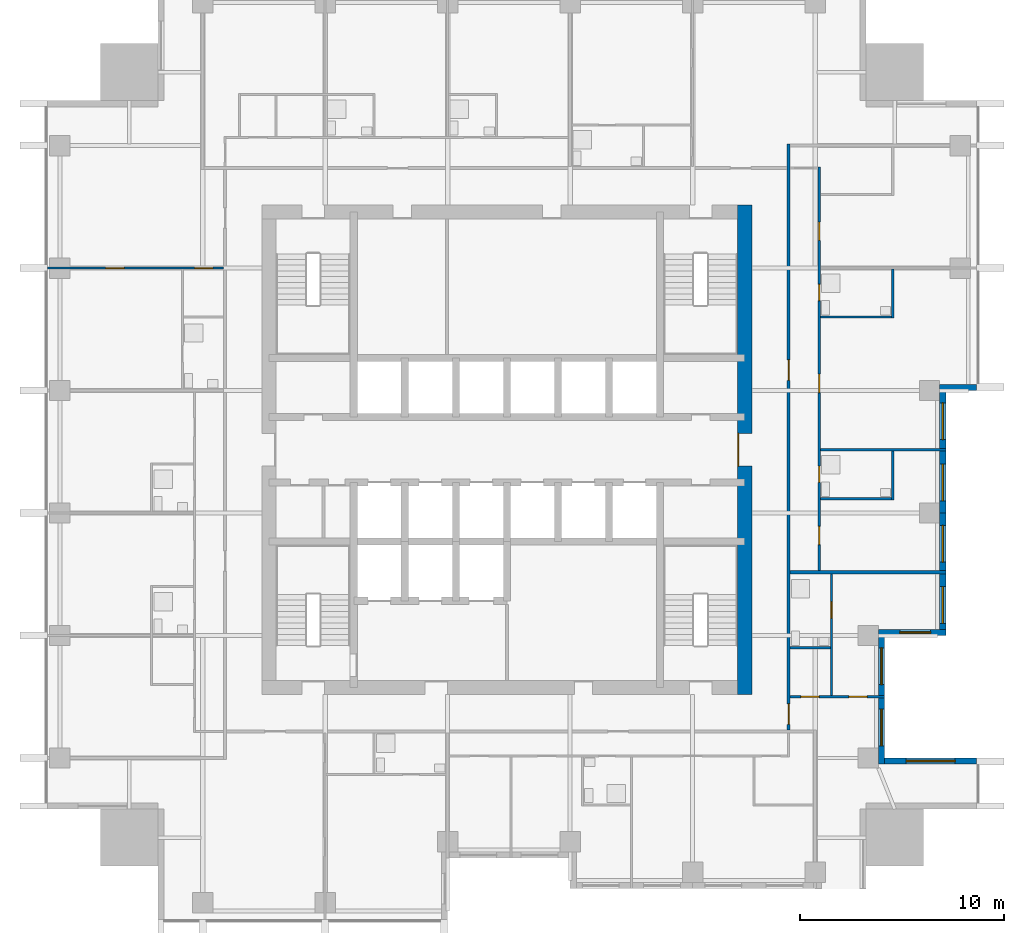
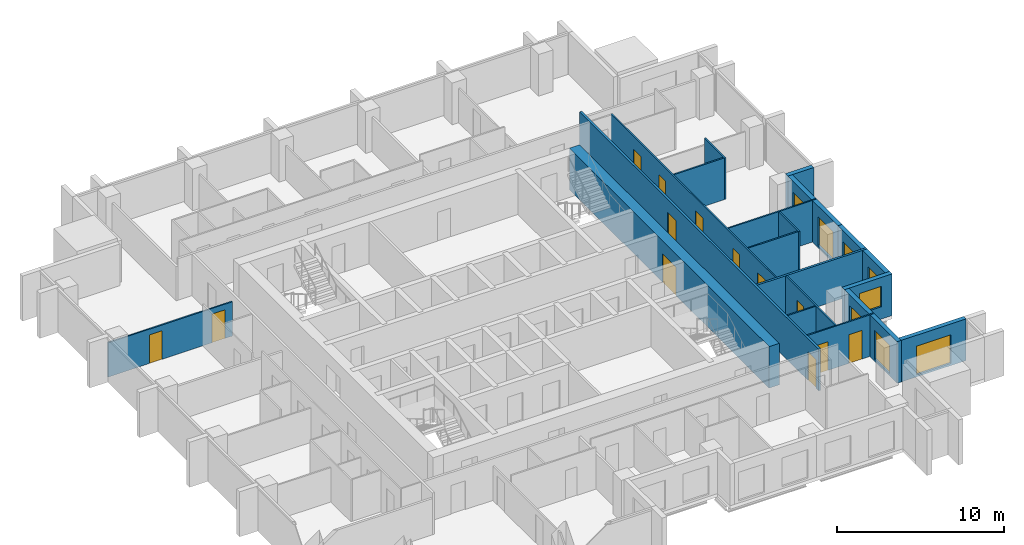
# One storey, part 6 of 10: 19 walls, 13 doors, 8 windows, 21 openings.
"""IFC4 building model written with IfcOpenShell, lengths in metres."""

from ifc_helpers import new_model, si_unit, direction, frame, frame_2d, origin, place, context, subcontext, project, spatial, rectangle, extrude, material, layer, layer_set, type_object, element, fill, save


model = new_model("IFC4")

# Units and contexts
model_context = context("Model", 3, precision=1e-05, world=origin(), true_north=direction((0.0, 1.0)))
body_context = subcontext(model_context, "Body", "Model", "MODEL_VIEW")
ifc_project = project(units=[si_unit("LENGTHUNIT", "METRE"), si_unit("AREAUNIT", "SQUARE_METRE"), si_unit("VOLUMEUNIT", "CUBIC_METRE"), si_unit("PLANEANGLEUNIT", "RADIAN"), si_unit("MASSUNIT", "GRAM", prefix="KILO")], contexts=[model_context])

# Site, building, storey
site_placement = place(None, origin())
site = spatial("IfcSite", under=ifc_project, at=site_placement, CompositionType="ELEMENT")
building_placement = place(site_placement, origin())
building = spatial("IfcBuilding", under=site, at=building_placement, Name="Amberfall Residences", CompositionType="ELEMENT")
storey_placement = place(building_placement, frame((0.0, 0.0, 137.199951171875)))
storey = spatial("IfcBuildingStorey", under=building, at=storey_placement, Name="L36", CompositionType="ELEMENT", Elevation=137.199951171875)

# Wall, opening, window
ifc_material_1 = material(Name="Pale stone cladding on insulated backing", Category="masonry")
ifc_layer_1 = layer(ifc_material_1, 0.300048828125)
ifc_layer_set_1 = layer_set([ifc_layer_1], Name="Bronze clad wall 300")
wall_type_1 = type_object("IfcWallType", Name="Bronze clad wall 300", PredefinedType="SOLIDWALL", material=ifc_layer_set_1)
wall_1_placement = place(storey_placement, frame((97.5, 30.25, 0.0), z_axis=(0.0, 0.0, 1.0), x_axis=(-1.0, 0.0, 0.0)))
wall_1 = element("IfcWall", 1, at=wall_1_placement, inside=storey, type_object=wall_type_1, Name="External wall L36 E", PredefinedType="SOLIDWALL", context=body_context, shape_type="SweptSolid", body=[
    extrude(rectangle(XDim=4.5, YDim=0.300048828125, at=frame_2d((2.25, 0.0))), origin(), (0.0, 0.0, 1.0), 3.050048828125),
])
opening_1_placement = place(wall_1_placement, frame((1.050048828125, 0.0, 0.14990234375)))
opening_1 = element("IfcOpeningElement", 2, at=opening_1_placement, cuts=wall_1, Name="Opening WN5", PredefinedType="OPENING", context=body_context, shape_type="SweptSolid", body=[
    extrude(rectangle(XDim=2.39990234375, YDim=2.10009765625, at=frame_2d((1.199951171875, 1.050048828125))), frame((0.0, 0.159912109375, 0.0), z_axis=(0.0, -1.0, 0.0), x_axis=(1.0, 0.0, 0.0)), (0.0, 0.0, 1.0), 0.320068359375),
])
ifc_material_2 = material(Name="Bronze aluminium framed glazing", Category="aluminium")
window_type_1 = type_object("IfcWindowType", Name="Glazed opening 2400 x 2100 bronze", PartitioningType="DOUBLE_PANEL_VERTICAL", PredefinedType="WINDOW", material=ifc_material_2)
window_1_placement = place(opening_1_placement, origin())
window_1 = element("IfcWindow", 3, at=window_1_placement, inside=storey, type_object=window_type_1, Name="Window L36 E", OverallHeight=2.10009765625, OverallWidth=2.39990234375, PartitioningType="DOUBLE_PANEL_VERTICAL", PredefinedType="WINDOW", context=body_context, shape_type="SweptSolid", body=[
    extrude(rectangle(XDim=2.39990234375, YDim=2.10009765625, at=frame_2d((1.199951171875, 1.050048828125))), frame((0.0, 0.030029296875, 0.0), z_axis=(0.0, -1.0, 0.0), x_axis=(1.0, 0.0, 0.0)), (0.0, 0.0, 1.0), 0.06005859375),
])
fill(opening_1, window_1)

wall_2_placement = place(storey_placement, frame((92.699951171875, 36.550048828125, 0.0), z_axis=(0.0, 0.0, 1.0), x_axis=(1.0, 0.0, 0.0)))
wall_2 = element("IfcWall", 4, at=wall_2_placement, inside=storey, type_object=wall_type_1, Name="External wall L36 E", PredefinedType="SOLIDWALL", context=body_context, shape_type="SweptSolid", body=[
    extrude(rectangle(XDim=3.300048828125, YDim=0.300048828125, at=frame_2d((1.64990234375, 0.0))), origin(), (0.0, 0.0, 1.0), 3.050048828125),
])
opening_2_placement = place(wall_2_placement, frame((1.050048828125, 0.0, 0.89990234375)))
opening_2 = element("IfcOpeningElement", 5, at=opening_2_placement, cuts=wall_2, Name="Opening WN1", PredefinedType="OPENING", context=body_context, shape_type="SweptSolid", body=[
    extrude(rectangle(XDim=1.5, YDim=1.5, at=frame_2d((0.75, 0.75))), frame((0.0, 0.159912109375, 0.0), z_axis=(0.0, -1.0, 0.0), x_axis=(1.0, 0.0, 0.0)), (0.0, 0.0, 1.0), 0.320068359375),
])
window_type_2 = type_object("IfcWindowType", Name="Window 1500 x 1500 bronze", PartitioningType="DOUBLE_PANEL_VERTICAL", PredefinedType="WINDOW", material=ifc_material_2)
window_2_placement = place(opening_2_placement, origin())
window_2 = element("IfcWindow", 6, at=window_2_placement, inside=storey, type_object=window_type_2, Name="Window L36 E", OverallHeight=1.5, OverallWidth=1.5, PartitioningType="DOUBLE_PANEL_VERTICAL", PredefinedType="WINDOW", context=body_context, shape_type="SweptSolid", body=[
    extrude(rectangle(XDim=1.5, YDim=1.5, at=frame_2d((0.75, 0.75))), frame((0.0, 0.030029296875, 0.0), z_axis=(0.0, -1.0, 0.0), x_axis=(1.0, 0.0, 0.0)), (0.0, 0.0, 1.0), 0.06005859375),
])
fill(opening_2, window_2)

# Wall
wall_3_placement = place(storey_placement, frame((95.699951171875, 48.550048828125, 0.0), z_axis=(0.0, 0.0, 1.0), x_axis=(1.0, 0.0, 0.0)))
element("IfcWall", 7, at=wall_3_placement, inside=storey, type_object=wall_type_1, Name="External wall L36 E", PredefinedType="SOLIDWALL", context=body_context, shape_type="SweptSolid", body=[
    extrude(rectangle(XDim=1.800048828125, YDim=0.300048828125, at=frame_2d((0.89990234375, 0.0))), origin(), (0.0, 0.0, 1.0), 3.050048828125),
])

# Wall, openings, windows
wall_4_placement = place(storey_placement, frame((92.85009765625, 30.10009765625, 0.0), z_axis=(0.0, 0.0, 1.0), x_axis=(0.0, 1.0, 0.0)))
wall_4 = element("IfcWall", 8, at=wall_4_placement, inside=storey, type_object=wall_type_1, Name="Stone wall L36 E", PredefinedType="SOLIDWALL", context=body_context, shape_type="SweptSolid", body=[
    extrude(rectangle(XDim=6.2998046875, YDim=0.300048828125, at=frame_2d((3.14990234375, 0.0))), origin(), (0.0, 0.0, 1.0), 3.050048828125),
])
opening_3_placement = place(wall_4_placement, frame((0.89990234375, 0.0, 0.14990234375)))
opening_3 = element("IfcOpeningElement", 9, at=opening_3_placement, cuts=wall_4, Name="Opening WN6", PredefinedType="OPENING", context=body_context, shape_type="SweptSolid", body=[
    extrude(rectangle(XDim=1.800048828125, YDim=2.10009765625, at=frame_2d((0.89990234375, 1.050048828125))), frame((0.0, 0.159912109375, 0.0), z_axis=(0.0, -1.0, 0.0), x_axis=(1.0, 0.0, 0.0)), (0.0, 0.0, 1.0), 0.320068359375),
])
opening_4_placement = place(wall_4_placement, frame((3.89990234375, 0.0, 0.14990234375)))
opening_4 = element("IfcOpeningElement", 10, at=opening_4_placement, cuts=wall_4, Name="Opening WN6", PredefinedType="OPENING", context=body_context, shape_type="SweptSolid", body=[
    extrude(rectangle(XDim=1.800048828125, YDim=2.10009765625, at=frame_2d((0.89990234375, 1.050048828125))), frame((0.0, 0.159912109375, 0.0), z_axis=(0.0, -1.0, 0.0), x_axis=(1.0, 0.0, 0.0)), (0.0, 0.0, 1.0), 0.320068359375),
])
window_type_3 = type_object("IfcWindowType", Name="Glazed opening 1800 x 2100 bronze", PartitioningType="DOUBLE_PANEL_VERTICAL", PredefinedType="WINDOW", material=ifc_material_2)
window_3_placement = place(opening_3_placement, origin())
window_3 = element("IfcWindow", 11, at=window_3_placement, inside=storey, type_object=window_type_3, Name="Window L36 E", OverallHeight=2.10009765625, OverallWidth=1.800048828125, PartitioningType="DOUBLE_PANEL_VERTICAL", PredefinedType="WINDOW", context=body_context, shape_type="SweptSolid", body=[
    extrude(rectangle(XDim=1.800048828125, YDim=2.10009765625, at=frame_2d((0.89990234375, 1.050048828125))), frame((0.0, 0.030029296875, 0.0), z_axis=(0.0, -1.0, 0.0), x_axis=(1.0, 0.0, 0.0)), (0.0, 0.0, 1.0), 0.06005859375),
])
fill(opening_3, window_3)
window_4_placement = place(opening_4_placement, origin())
window_4 = element("IfcWindow", 12, at=window_4_placement, inside=storey, type_object=window_type_3, Name="Window L36 E", OverallHeight=2.10009765625, OverallWidth=1.800048828125, PartitioningType="DOUBLE_PANEL_VERTICAL", PredefinedType="WINDOW", context=body_context, shape_type="SweptSolid", body=[
    extrude(rectangle(XDim=1.800048828125, YDim=2.10009765625, at=frame_2d((0.89990234375, 1.050048828125))), frame((0.0, 0.030029296875, 0.0), z_axis=(0.0, -1.0, 0.0), x_axis=(1.0, 0.0, 0.0)), (0.0, 0.0, 1.0), 0.06005859375),
])
fill(opening_4, window_4)

wall_5_placement = place(storey_placement, frame((95.85009765625, 36.699951171875, 0.0), z_axis=(0.0, 0.0, 1.0), x_axis=(0.0, 1.0, 0.0)))
wall_5 = element("IfcWall", 13, at=wall_5_placement, inside=storey, type_object=wall_type_1, Name="Stone wall L36 E", PredefinedType="SOLIDWALL", context=body_context, shape_type="SweptSolid", body=[
    extrude(rectangle(XDim=5.699951171875, YDim=0.300048828125, at=frame_2d((2.85009765625, 0.0))), origin(), (0.0, 0.0, 1.0), 3.050048828125),
])
opening_5_placement = place(wall_5_placement, frame((0.300048828125, 0.0, 0.14990234375)))
opening_5 = element("IfcOpeningElement", 14, at=opening_5_placement, cuts=wall_5, Name="Opening WN6", PredefinedType="OPENING", context=body_context, shape_type="SweptSolid", body=[
    extrude(rectangle(XDim=1.800048828125, YDim=2.10009765625, at=frame_2d((0.89990234375, 1.050048828125))), frame((0.0, 0.159912109375, 0.0), z_axis=(0.0, -1.0, 0.0), x_axis=(1.0, 0.0, 0.0)), (0.0, 0.0, 1.0), 0.320068359375),
])
opening_6_placement = place(wall_5_placement, frame((3.300048828125, 0.0, 0.14990234375)))
opening_6 = element("IfcOpeningElement", 15, at=opening_6_placement, cuts=wall_5, Name="Opening WN6", PredefinedType="OPENING", context=body_context, shape_type="SweptSolid", body=[
    extrude(rectangle(XDim=1.800048828125, YDim=2.10009765625, at=frame_2d((0.89990234375, 1.050048828125))), frame((0.0, 0.159912109375, 0.0), z_axis=(0.0, -1.0, 0.0), x_axis=(1.0, 0.0, 0.0)), (0.0, 0.0, 1.0), 0.320068359375),
])
window_5_placement = place(opening_5_placement, origin())
window_5 = element("IfcWindow", 16, at=window_5_placement, inside=storey, type_object=window_type_3, Name="Window L36 E", OverallHeight=2.10009765625, OverallWidth=1.800048828125, PartitioningType="DOUBLE_PANEL_VERTICAL", PredefinedType="WINDOW", context=body_context, shape_type="SweptSolid", body=[
    extrude(rectangle(XDim=1.800048828125, YDim=2.10009765625, at=frame_2d((0.89990234375, 1.050048828125))), frame((0.0, 0.030029296875, 0.0), z_axis=(0.0, -1.0, 0.0), x_axis=(1.0, 0.0, 0.0)), (0.0, 0.0, 1.0), 0.06005859375),
])
fill(opening_5, window_5)
window_6_placement = place(opening_6_placement, origin())
window_6 = element("IfcWindow", 17, at=window_6_placement, inside=storey, type_object=window_type_3, Name="Window L36 E", OverallHeight=2.10009765625, OverallWidth=1.800048828125, PartitioningType="DOUBLE_PANEL_VERTICAL", PredefinedType="WINDOW", context=body_context, shape_type="SweptSolid", body=[
    extrude(rectangle(XDim=1.800048828125, YDim=2.10009765625, at=frame_2d((0.89990234375, 1.050048828125))), frame((0.0, 0.030029296875, 0.0), z_axis=(0.0, -1.0, 0.0), x_axis=(1.0, 0.0, 0.0)), (0.0, 0.0, 1.0), 0.06005859375),
])
fill(opening_6, window_6)

wall_6_placement = place(storey_placement, frame((95.85009765625, 42.39990234375, 0.0), z_axis=(0.0, 0.0, 1.0), x_axis=(0.0, 1.0, 0.0)))
wall_6 = element("IfcWall", 18, at=wall_6_placement, inside=storey, type_object=wall_type_1, Name="Stone wall L36 E", PredefinedType="SOLIDWALL", context=body_context, shape_type="SweptSolid", body=[
    extrude(rectangle(XDim=6.0, YDim=0.300048828125, at=frame_2d((3.0, 0.0))), origin(), (0.0, 0.0, 1.0), 3.050048828125),
])
opening_7_placement = place(wall_6_placement, frame((0.60009765625, 0.0, 0.14990234375)))
opening_7 = element("IfcOpeningElement", 19, at=opening_7_placement, cuts=wall_6, Name="Opening WN6", PredefinedType="OPENING", context=body_context, shape_type="SweptSolid", body=[
    extrude(rectangle(XDim=1.800048828125, YDim=2.10009765625, at=frame_2d((0.89990234375, 1.050048828125))), frame((0.0, 0.159912109375, 0.0), z_axis=(0.0, -1.0, 0.0), x_axis=(1.0, 0.0, 0.0)), (0.0, 0.0, 1.0), 0.320068359375),
])
opening_8_placement = place(wall_6_placement, frame((3.60009765625, 0.0, 0.14990234375)))
opening_8 = element("IfcOpeningElement", 20, at=opening_8_placement, cuts=wall_6, Name="Opening WN6", PredefinedType="OPENING", context=body_context, shape_type="SweptSolid", body=[
    extrude(rectangle(XDim=1.800048828125, YDim=2.10009765625, at=frame_2d((0.89990234375, 1.050048828125))), frame((0.0, 0.159912109375, 0.0), z_axis=(0.0, -1.0, 0.0), x_axis=(1.0, 0.0, 0.0)), (0.0, 0.0, 1.0), 0.320068359375),
])
window_7_placement = place(opening_7_placement, origin())
window_7 = element("IfcWindow", 21, at=window_7_placement, inside=storey, type_object=window_type_3, Name="Window L36 E", OverallHeight=2.10009765625, OverallWidth=1.800048828125, PartitioningType="DOUBLE_PANEL_VERTICAL", PredefinedType="WINDOW", context=body_context, shape_type="SweptSolid", body=[
    extrude(rectangle(XDim=1.800048828125, YDim=2.10009765625, at=frame_2d((0.89990234375, 1.050048828125))), frame((0.0, 0.030029296875, 0.0), z_axis=(0.0, -1.0, 0.0), x_axis=(1.0, 0.0, 0.0)), (0.0, 0.0, 1.0), 0.06005859375),
])
fill(opening_7, window_7)
window_8_placement = place(opening_8_placement, origin())
window_8 = element("IfcWindow", 22, at=window_8_placement, inside=storey, type_object=window_type_3, Name="Window L36 E", OverallHeight=2.10009765625, OverallWidth=1.800048828125, PartitioningType="DOUBLE_PANEL_VERTICAL", PredefinedType="WINDOW", context=body_context, shape_type="SweptSolid", body=[
    extrude(rectangle(XDim=1.800048828125, YDim=2.10009765625, at=frame_2d((0.89990234375, 1.050048828125))), frame((0.0, 0.030029296875, 0.0), z_axis=(0.0, -1.0, 0.0), x_axis=(1.0, 0.0, 0.0)), (0.0, 0.0, 1.0), 0.06005859375),
])
fill(opening_8, window_8)

# Wall, opening, door
ifc_material_3 = material(Name="Concrete C60", Category="concrete")
ifc_layer_2 = layer(ifc_material_3, 0.699951171875)
ifc_layer_set_2 = layer_set([ifc_layer_2], Name="Core wall 700 C60")
wall_type_2 = type_object("IfcWallType", Name="Core wall 700 C60", PredefinedType="SHEAR", material=ifc_layer_set_2)
wall_7_placement = place(storey_placement, frame((86.14990234375, 33.5, 0.0), z_axis=(0.0, 0.0, 1.0), x_axis=(0.0, 1.0, 0.0)))
wall_7 = element("IfcWall", 23, at=wall_7_placement, inside=storey, type_object=wall_type_2, Name="Core wall RW5 L36 OE", PredefinedType="SHEAR", context=body_context, shape_type="SweptSolid", body=[
    extrude(rectangle(XDim=24.0, YDim=0.699951171875, at=frame_2d((12.0, 0.0))), origin(), (0.0, 0.0, 1.0), 3.050048828125),
])
opening_9_placement = place(wall_7_placement, frame((11.199951171875, 0.0, 0.0)))
opening_9 = element("IfcOpeningElement", 24, at=opening_9_placement, cuts=wall_7, Name="Opening LB1", PredefinedType="OPENING", context=body_context, shape_type="SweptSolid", body=[
    extrude(rectangle(XDim=1.60009765625, YDim=2.10009765625, at=frame_2d((0.800048828125, 1.050048828125))), frame((0.0, 0.35986328125, 0.0), z_axis=(0.0, -1.0, 0.0), x_axis=(1.0, 0.0, 0.0)), (0.0, 0.0, 1.0), 0.719970703125),
])
ifc_material_4 = material(Name="Steel fire door set", Category="steel")
door_type_1 = type_object("IfcDoorType", Name="Lift lobby double door 1600 x 2100", OperationType="DOUBLE_DOOR_SINGLE_SWING", PredefinedType="DOOR", material=ifc_material_4)
door_1_placement = place(opening_9_placement, origin())
door_1 = element("IfcDoor", 25, at=door_1_placement, inside=storey, type_object=door_type_1, Name="LB1 L36", OperationType="DOUBLE_DOOR_SINGLE_SWING", OverallHeight=2.10009765625, OverallWidth=1.60009765625, PredefinedType="DOOR", context=body_context, shape_type="SweptSolid", body=[
    extrude(rectangle(XDim=1.60009765625, YDim=2.10009765625, at=frame_2d((0.800048828125, 1.050048828125))), frame((0.0, 0.33740234375, 0.0), z_axis=(0.0, -1.0, 0.0), x_axis=(1.0, 0.0, 0.0)), (0.0, 0.0, 1.0), 0.050048828125),
])
fill(opening_9, door_1)

# Wall, openings, doors
ifc_material_5 = material(Name="Gypsum board on metal stud")
ifc_layer_3 = layer(ifc_material_5, 0.10009765625)
ifc_layer_set_3 = layer_set([ifc_layer_3], Name="Flat partition 100")
wall_type_3 = type_object("IfcWallType", Name="Flat partition 100", PredefinedType="PARTITIONING", material=ifc_layer_set_3)
wall_8_placement = place(storey_placement, frame((89.800048828125, 59.35009765625, 0.0), z_axis=(0.0, 0.0, 1.0), x_axis=(0.0, -1.0, 0.0)))
wall_8 = element("IfcWall", 26, at=wall_8_placement, inside=storey, type_object=wall_type_3, Name="Partition 021", PredefinedType="PARTITIONING", context=body_context, shape_type="SweptSolid", body=[
    extrude(rectangle(XDim=19.775146484375, YDim=0.10009765625, at=frame_2d((9.8876953125, 0.0))), origin(), (0.0, 0.0, 1.0), 3.050048828125),
])
opening_10_placement = place(wall_8_placement, frame((2.699951171875, 0.0, 0.0)))
opening_10 = element("IfcOpeningElement", 27, at=opening_10_placement, cuts=wall_8, Name="Opening D41", PredefinedType="OPENING", context=body_context, shape_type="SweptSolid", body=[
    extrude(rectangle(XDim=0.89990234375, YDim=2.10009765625, at=frame_2d((0.449951171875, 1.050048828125))), frame((0.0, 0.06005859375, 0.0), z_axis=(0.0, -1.0, 0.0), x_axis=(1.0, 0.0, 0.0)), (0.0, 0.0, 1.0), 0.1201171875),
])
opening_11_placement = place(wall_8_placement, frame((17.60009765625, 0.0, 0.0)))
opening_11 = element("IfcOpeningElement", 28, at=opening_11_placement, cuts=wall_8, Name="Opening D41", PredefinedType="OPENING", context=body_context, shape_type="SweptSolid", body=[
    extrude(rectangle(XDim=0.89990234375, YDim=2.10009765625, at=frame_2d((0.449951171875, 1.050048828125))), frame((0.0, 0.06005859375, 0.0), z_axis=(0.0, -1.0, 0.0), x_axis=(1.0, 0.0, 0.0)), (0.0, 0.0, 1.0), 0.1201171875),
])
opening_12_placement = place(wall_8_placement, frame((10.14990234375, 0.0, 0.0)))
opening_12 = element("IfcOpeningElement", 29, at=opening_12_placement, cuts=wall_8, Name="Opening D41", PredefinedType="OPENING", context=body_context, shape_type="SweptSolid", body=[
    extrude(rectangle(XDim=0.89990234375, YDim=2.10009765625, at=frame_2d((0.449951171875, 1.050048828125))), frame((0.0, 0.06005859375, 0.0), z_axis=(0.0, -1.0, 0.0), x_axis=(1.0, 0.0, 0.0)), (0.0, 0.0, 1.0), 0.1201171875),
])
opening_13_placement = place(wall_8_placement, frame((14.64990234375, 0.0, 0.0)))
opening_13 = element("IfcOpeningElement", 30, at=opening_13_placement, cuts=wall_8, Name="Opening D42", PredefinedType="OPENING", context=body_context, shape_type="SweptSolid", body=[
    extrude(rectangle(XDim=0.800048828125, YDim=2.10009765625, at=frame_2d((0.39990234375, 1.050048828125))), frame((0.0, 0.06005859375, 0.0), z_axis=(0.0, -1.0, 0.0), x_axis=(1.0, 0.0, 0.0)), (0.0, 0.0, 1.0), 0.1201171875),
])
opening_14_placement = place(wall_8_placement, frame((5.75, 0.0, 0.0)))
opening_14 = element("IfcOpeningElement", 31, at=opening_14_placement, cuts=wall_8, Name="Opening D42", PredefinedType="OPENING", context=body_context, shape_type="SweptSolid", body=[
    extrude(rectangle(XDim=0.800048828125, YDim=2.10009765625, at=frame_2d((0.39990234375, 1.050048828125))), frame((0.0, 0.06005859375, 0.0), z_axis=(0.0, -1.0, 0.0), x_axis=(1.0, 0.0, 0.0)), (0.0, 0.0, 1.0), 0.1201171875),
])
ifc_material_6 = material(Name="Timber", Category="wood")
door_type_2 = type_object("IfcDoorType", Name="Bathroom door 800 x 2100", OperationType="SINGLE_SWING_LEFT", PredefinedType="DOOR", material=ifc_material_6)
door_2_placement = place(opening_13_placement, origin())
door_2 = element("IfcDoor", 32, at=door_2_placement, inside=storey, type_object=door_type_2, Name="Door 3604 bath1", OperationType="SINGLE_SWING_LEFT", OverallHeight=2.10009765625, OverallWidth=0.800048828125, PredefinedType="DOOR", context=body_context, shape_type="SweptSolid", body=[
    extrude(rectangle(XDim=0.800048828125, YDim=2.10009765625, at=frame_2d((0.39990234375, 1.050048828125))), frame((0.0, 0.02490234375, 0.0), z_axis=(0.0, -1.0, 0.0), x_axis=(1.0, 0.0, 0.0)), (0.0, 0.0, 1.0), 0.050048828125),
])
fill(opening_13, door_2)
door_3_placement = place(opening_14_placement, origin())
door_3 = element("IfcDoor", 33, at=door_3_placement, inside=storey, type_object=door_type_2, Name="Door 3604 bath2", OperationType="SINGLE_SWING_LEFT", OverallHeight=2.10009765625, OverallWidth=0.800048828125, PredefinedType="DOOR", context=body_context, shape_type="SweptSolid", body=[
    extrude(rectangle(XDim=0.800048828125, YDim=2.10009765625, at=frame_2d((0.39990234375, 1.050048828125))), frame((0.0, 0.02490234375, 0.0), z_axis=(0.0, -1.0, 0.0), x_axis=(1.0, 0.0, 0.0)), (0.0, 0.0, 1.0), 0.050048828125),
])
fill(opening_14, door_3)
door_type_3 = type_object("IfcDoorType", Name="Internal door 900 x 2100", OperationType="SINGLE_SWING_LEFT", PredefinedType="DOOR", material=ifc_material_6)
door_4_placement = place(opening_10_placement, origin())
door_4 = element("IfcDoor", 34, at=door_4_placement, inside=storey, type_object=door_type_3, Name="Door 3604 living", OperationType="SINGLE_SWING_LEFT", OverallHeight=2.10009765625, OverallWidth=0.89990234375, PredefinedType="DOOR", context=body_context, shape_type="SweptSolid", body=[
    extrude(rectangle(XDim=0.89990234375, YDim=2.10009765625, at=frame_2d((0.449951171875, 1.050048828125))), frame((0.0, 0.02490234375, 0.0), z_axis=(0.0, -1.0, 0.0), x_axis=(1.0, 0.0, 0.0)), (0.0, 0.0, 1.0), 0.050048828125),
])
fill(opening_10, door_4)
door_5_placement = place(opening_11_placement, origin())
door_5 = element("IfcDoor", 35, at=door_5_placement, inside=storey, type_object=door_type_3, Name="Door 3604 bedroom1", OperationType="SINGLE_SWING_LEFT", OverallHeight=2.10009765625, OverallWidth=0.89990234375, PredefinedType="DOOR", context=body_context, shape_type="SweptSolid", body=[
    extrude(rectangle(XDim=0.89990234375, YDim=2.10009765625, at=frame_2d((0.449951171875, 1.050048828125))), frame((0.0, 0.02490234375, 0.0), z_axis=(0.0, -1.0, 0.0), x_axis=(1.0, 0.0, 0.0)), (0.0, 0.0, 1.0), 0.050048828125),
])
fill(opening_11, door_5)
door_6_placement = place(opening_12_placement, origin())
door_6 = element("IfcDoor", 36, at=door_6_placement, inside=storey, type_object=door_type_3, Name="Door 3604 bedroom2", OperationType="SINGLE_SWING_LEFT", OverallHeight=2.10009765625, OverallWidth=0.89990234375, PredefinedType="DOOR", context=body_context, shape_type="SweptSolid", body=[
    extrude(rectangle(XDim=0.89990234375, YDim=2.10009765625, at=frame_2d((0.449951171875, 1.050048828125))), frame((0.0, 0.02490234375, 0.0), z_axis=(0.0, -1.0, 0.0), x_axis=(1.0, 0.0, 0.0)), (0.0, 0.0, 1.0), 0.050048828125),
])
fill(opening_12, door_6)

# Wall, opening, door
wall_9_placement = place(storey_placement, frame((90.39990234375, 33.449951171875, 0.0), z_axis=(0.0, 0.0, 1.0), x_axis=(0.0, 1.0, 0.0)))
wall_9 = element("IfcWall", 37, at=wall_9_placement, inside=storey, type_object=wall_type_3, Name="Partition 022", PredefinedType="PARTITIONING", context=body_context, shape_type="SweptSolid", body=[
    extrude(rectangle(XDim=5.97509765625, YDim=0.10009765625, at=frame_2d((2.987548828125, 0.0))), origin(), (0.0, 0.0, 1.0), 3.050048828125),
])
opening_15_placement = place(wall_9_placement, frame((3.800048828125, 0.0, 0.0)))
opening_15 = element("IfcOpeningElement", 38, at=opening_15_placement, cuts=wall_9, Name="Opening D42", PredefinedType="OPENING", context=body_context, shape_type="SweptSolid", body=[
    extrude(rectangle(XDim=0.800048828125, YDim=2.10009765625, at=frame_2d((0.39990234375, 1.050048828125))), frame((0.0, 0.06005859375, 0.0), z_axis=(0.0, -1.0, 0.0), x_axis=(1.0, 0.0, 0.0)), (0.0, 0.0, 1.0), 0.1201171875),
])
door_7_placement = place(opening_15_placement, origin())
door_7 = element("IfcDoor", 39, at=door_7_placement, inside=storey, type_object=door_type_2, Name="Door 3603 bath1", OperationType="SINGLE_SWING_LEFT", OverallHeight=2.10009765625, OverallWidth=0.800048828125, PredefinedType="DOOR", context=body_context, shape_type="SweptSolid", body=[
    extrude(rectangle(XDim=0.800048828125, YDim=2.10009765625, at=frame_2d((0.39990234375, 1.050048828125))), frame((0.0, 0.02490234375, 0.0), z_axis=(0.0, -1.0, 0.0), x_axis=(1.0, 0.0, 0.0)), (0.0, 0.0, 1.0), 0.050048828125),
])
fill(opening_15, door_7)

# Walls
wall_10_placement = place(storey_placement, frame((93.39990234375, 43.050048828125, 0.0), z_axis=(0.0, 0.0, 1.0), x_axis=(0.0, 1.0, 0.0)))
element("IfcWall", 40, at=wall_10_placement, inside=storey, type_object=wall_type_3, Name="Partition 023", PredefinedType="PARTITIONING", context=body_context, shape_type="SweptSolid", body=[
    extrude(rectangle(XDim=2.39990234375, YDim=0.10009765625, at=frame_2d((1.199951171875, 0.0))), origin(), (0.0, 0.0, 1.0), 3.050048828125),
])
wall_11_placement = place(storey_placement, frame((93.39990234375, 51.949951171875, 0.0), z_axis=(0.0, 0.0, 1.0), x_axis=(0.0, 1.0, 0.0)))
element("IfcWall", 41, at=wall_11_placement, inside=storey, type_object=wall_type_3, Name="Partition 024", PredefinedType="PARTITIONING", context=body_context, shape_type="SweptSolid", body=[
    extrude(rectangle(XDim=2.400146484375, YDim=0.10009765625, at=frame_2d((1.2001953125, 0.0))), origin(), (0.0, 0.0, 1.0), 3.050048828125),
])

# Wall, openings, doors
wall_12_placement = place(storey_placement, frame((60.625, 54.39990234375, 0.0), z_axis=(0.0, 0.0, 1.0), x_axis=(-1.0, 0.0, 0.0)))
wall_12 = element("IfcWall", 42, at=wall_12_placement, inside=storey, type_object=wall_type_3, Name="Partition 032", PredefinedType="PARTITIONING", context=body_context, shape_type="SweptSolid", body=[
    extrude(rectangle(XDim=8.625, YDim=0.10009765625, at=frame_2d((4.3125, 0.0))), origin(), (0.0, 0.0, 1.0), 2.51611328125),
])
opening_16_placement = place(wall_12_placement, frame((0.52490234375, 0.0, 0.0)))
opening_16 = element("IfcOpeningElement", 43, at=opening_16_placement, cuts=wall_12, Name="Opening D41", PredefinedType="OPENING", context=body_context, shape_type="SweptSolid", body=[
    extrude(rectangle(XDim=0.89990234375, YDim=2.10009765625, at=frame_2d((0.449951171875, 1.050048828125))), frame((0.0, 0.06005859375, 0.0), z_axis=(0.0, -1.0, 0.0), x_axis=(1.0, 0.0, 0.0)), (0.0, 0.0, 1.0), 0.1201171875),
])
opening_17_placement = place(wall_12_placement, frame((4.875, 0.0, 0.0)))
opening_17 = element("IfcOpeningElement", 44, at=opening_17_placement, cuts=wall_12, Name="Opening D41", PredefinedType="OPENING", context=body_context, shape_type="SweptSolid", body=[
    extrude(rectangle(XDim=0.89990234375, YDim=2.10009765625, at=frame_2d((0.449951171875, 1.050048828125))), frame((0.0, 0.06005859375, 0.0), z_axis=(0.0, -1.0, 0.0), x_axis=(1.0, 0.0, 0.0)), (0.0, 0.0, 1.0), 0.1201171875),
])
door_8_placement = place(opening_16_placement, origin())
door_8 = element("IfcDoor", 45, at=door_8_placement, inside=storey, type_object=door_type_3, Name="Door 3608 kitchen", OperationType="SINGLE_SWING_LEFT", OverallHeight=2.10009765625, OverallWidth=0.89990234375, PredefinedType="DOOR", context=body_context, shape_type="SweptSolid", body=[
    extrude(rectangle(XDim=0.89990234375, YDim=2.10009765625, at=frame_2d((0.449951171875, 1.050048828125))), frame((0.0, 0.02490234375, 0.0), z_axis=(0.0, -1.0, 0.0), x_axis=(1.0, 0.0, 0.0)), (0.0, 0.0, 1.0), 0.050048828125),
])
fill(opening_16, door_8)
door_9_placement = place(opening_17_placement, origin())
door_9 = element("IfcDoor", 46, at=door_9_placement, inside=storey, type_object=door_type_3, Name="Door 3608 bedroom1", OperationType="SINGLE_SWING_LEFT", OverallHeight=2.10009765625, OverallWidth=0.89990234375, PredefinedType="DOOR", context=body_context, shape_type="SweptSolid", body=[
    extrude(rectangle(XDim=0.89990234375, YDim=2.10009765625, at=frame_2d((0.449951171875, 1.050048828125))), frame((0.0, 0.02490234375, 0.0), z_axis=(0.0, -1.0, 0.0), x_axis=(1.0, 0.0, 0.0)), (0.0, 0.0, 1.0), 0.050048828125),
])
fill(opening_17, door_9)

# Walls
wall_13_placement = place(storey_placement, frame((89.85009765625, 52.0, 0.0), z_axis=(0.0, 0.0, 1.0), x_axis=(1.0, 0.0, 0.0)))
element("IfcWall", 47, at=wall_13_placement, inside=storey, type_object=wall_type_3, Name="Partition 035", PredefinedType="PARTITIONING", context=body_context, shape_type="SweptSolid", body=[
    extrude(rectangle(XDim=3.5, YDim=0.10009765625, at=frame_2d((1.75, 0.0))), origin(), (0.0, 0.0, 1.0), 3.050048828125),
])
wall_14_placement = place(storey_placement, frame((89.85009765625, 45.5, 0.0), z_axis=(0.0, 0.0, 1.0), x_axis=(1.0, 0.0, 0.0)))
element("IfcWall", 48, at=wall_14_placement, inside=storey, type_object=wall_type_3, Name="Partition 036", PredefinedType="PARTITIONING", context=body_context, shape_type="SweptSolid", body=[
    extrude(rectangle(XDim=6.14990234375, YDim=0.10009765625, at=frame_2d((3.074951171875, 0.0))), origin(), (0.0, 0.0, 1.0), 3.050048828125),
])
wall_15_placement = place(storey_placement, frame((89.85009765625, 43.10009765625, 0.0), z_axis=(0.0, 0.0, 1.0), x_axis=(1.0, 0.0, 0.0)))
element("IfcWall", 49, at=wall_15_placement, inside=storey, type_object=wall_type_3, Name="Partition 038", PredefinedType="PARTITIONING", context=body_context, shape_type="SweptSolid", body=[
    extrude(rectangle(XDim=3.5, YDim=0.10009765625, at=frame_2d((1.75, 0.0))), origin(), (0.0, 0.0, 1.0), 3.050048828125),
])
wall_16_placement = place(storey_placement, frame((88.375, 35.800048828125, 0.0), z_axis=(0.0, 0.0, 1.0), x_axis=(1.0, 0.0, 0.0)))
element("IfcWall", 50, at=wall_16_placement, inside=storey, type_object=wall_type_3, Name="Partition 042", PredefinedType="PARTITIONING", context=body_context, shape_type="SweptSolid", body=[
    extrude(rectangle(XDim=1.97509765625, YDim=0.10009765625, at=frame_2d((0.987548828125, 0.0))), origin(), (0.0, 0.0, 1.0), 3.050048828125),
])

# Wall, openings, doors
wall_17_placement = place(storey_placement, frame((88.375, 33.39990234375, 0.0), z_axis=(0.0, 0.0, 1.0), x_axis=(1.0, 0.0, 0.0)))
wall_17 = element("IfcWall", 51, at=wall_17_placement, inside=storey, type_object=wall_type_3, Name="Partition 044", PredefinedType="PARTITIONING", context=body_context, shape_type="SweptSolid", body=[
    extrude(rectangle(XDim=4.625, YDim=0.10009765625, at=frame_2d((2.3125, 0.0))), origin(), (0.0, 0.0, 1.0), 3.050048828125),
])
opening_18_placement = place(wall_17_placement, frame((0.52490234375, 0.0, 0.0)))
opening_18 = element("IfcOpeningElement", 52, at=opening_18_placement, cuts=wall_17, Name="Opening D41", PredefinedType="OPENING", context=body_context, shape_type="SweptSolid", body=[
    extrude(rectangle(XDim=0.89990234375, YDim=2.10009765625, at=frame_2d((0.449951171875, 1.050048828125))), frame((0.0, 0.06005859375, 0.0), z_axis=(0.0, -1.0, 0.0), x_axis=(1.0, 0.0, 0.0)), (0.0, 0.0, 1.0), 0.1201171875),
])
opening_19_placement = place(wall_17_placement, frame((2.875, 0.0, 0.0)))
opening_19 = element("IfcOpeningElement", 53, at=opening_19_placement, cuts=wall_17, Name="Opening D41", PredefinedType="OPENING", context=body_context, shape_type="SweptSolid", body=[
    extrude(rectangle(XDim=0.89990234375, YDim=2.10009765625, at=frame_2d((0.449951171875, 1.050048828125))), frame((0.0, 0.06005859375, 0.0), z_axis=(0.0, -1.0, 0.0), x_axis=(1.0, 0.0, 0.0)), (0.0, 0.0, 1.0), 0.1201171875),
])
door_10_placement = place(opening_18_placement, origin())
door_10 = element("IfcDoor", 54, at=door_10_placement, inside=storey, type_object=door_type_3, Name="Door 3603 kitchen", OperationType="SINGLE_SWING_LEFT", OverallHeight=2.10009765625, OverallWidth=0.89990234375, PredefinedType="DOOR", context=body_context, shape_type="SweptSolid", body=[
    extrude(rectangle(XDim=0.89990234375, YDim=2.10009765625, at=frame_2d((0.449951171875, 1.050048828125))), frame((0.0, 0.02490234375, 0.0), z_axis=(0.0, -1.0, 0.0), x_axis=(1.0, 0.0, 0.0)), (0.0, 0.0, 1.0), 0.050048828125),
])
fill(opening_18, door_10)
door_11_placement = place(opening_19_placement, origin())
door_11 = element("IfcDoor", 55, at=door_11_placement, inside=storey, type_object=door_type_3, Name="Door 3603 bedroom1", OperationType="SINGLE_SWING_LEFT", OverallHeight=2.10009765625, OverallWidth=0.89990234375, PredefinedType="DOOR", context=body_context, shape_type="SweptSolid", body=[
    extrude(rectangle(XDim=0.89990234375, YDim=2.10009765625, at=frame_2d((0.449951171875, 1.050048828125))), frame((0.0, 0.02490234375, 0.0), z_axis=(0.0, -1.0, 0.0), x_axis=(1.0, 0.0, 0.0)), (0.0, 0.0, 1.0), 0.050048828125),
])
fill(opening_19, door_11)

ifc_material_7 = material(Name="Blockwork, plastered", Category="masonry")
ifc_layer_4 = layer(ifc_material_7, 0.14990234375)
ifc_layer_set_4 = layer_set([ifc_layer_4], Name="Flat separating wall 150")
wall_type_4 = type_object("IfcWallType", Name="Flat separating wall 150", PredefinedType="PARTITIONING", material=ifc_layer_set_4)
wall_18_placement = place(storey_placement, frame((88.300048828125, 60.47509765625, 0.0), z_axis=(0.0, 0.0, 1.0), x_axis=(0.0, -1.0, 0.0)))
wall_18 = element("IfcWall", 56, at=wall_18_placement, inside=storey, type_object=wall_type_4, Name="Separating wall 054", PredefinedType="PARTITIONING", context=body_context, shape_type="SweptSolid", body=[
    extrude(rectangle(XDim=28.7001953125, YDim=0.14990234375, at=frame_2d((14.35009765625, 0.0))), origin(), (0.0, 0.0, 1.0), 3.050048828125),
])
opening_20_placement = place(wall_18_placement, frame((27.425048828125, 0.0, 0.0)))
opening_20 = element("IfcOpeningElement", 57, at=opening_20_placement, cuts=wall_18, Name="Opening D40", PredefinedType="OPENING", context=body_context, shape_type="SweptSolid", body=[
    extrude(rectangle(XDim=1.0, YDim=2.10009765625, at=frame_2d((0.5, 1.050048828125))), frame((0.0, 0.0849609375, 0.0), z_axis=(0.0, -1.0, 0.0), x_axis=(1.0, 0.0, 0.0)), (0.0, 0.0, 1.0), 0.169921875),
])
opening_21_placement = place(wall_18_placement, frame((10.574951171875, 0.0, 0.0)))
opening_21 = element("IfcOpeningElement", 58, at=opening_21_placement, cuts=wall_18, Name="Opening D40", PredefinedType="OPENING", context=body_context, shape_type="SweptSolid", body=[
    extrude(rectangle(XDim=1.0, YDim=2.10009765625, at=frame_2d((0.5, 1.050048828125))), frame((0.0, 0.0849609375, 0.0), z_axis=(0.0, -1.0, 0.0), x_axis=(1.0, 0.0, 0.0)), (0.0, 0.0, 1.0), 0.169921875),
])
ifc_material_8 = material(Name="Timber, fire-rated", Category="wood")
door_type_4 = type_object("IfcDoorType", Name="Flat entrance door FD60 1000 x 2100", OperationType="SINGLE_SWING_LEFT", PredefinedType="DOOR", material=ifc_material_8)
door_12_placement = place(opening_20_placement, origin())
door_12 = element("IfcDoor", 59, at=door_12_placement, inside=storey, type_object=door_type_4, Name="Door 3603 entrance", OperationType="SINGLE_SWING_LEFT", OverallHeight=2.10009765625, OverallWidth=1.0, PredefinedType="DOOR", context=body_context, shape_type="SweptSolid", body=[
    extrude(rectangle(XDim=1.0, YDim=2.10009765625, at=frame_2d((0.5, 1.050048828125))), frame((0.0, 0.02490234375, 0.0), z_axis=(0.0, -1.0, 0.0), x_axis=(1.0, 0.0, 0.0)), (0.0, 0.0, 1.0), 0.050048828125),
])
fill(opening_20, door_12)
door_13_placement = place(opening_21_placement, origin())
door_13 = element("IfcDoor", 60, at=door_13_placement, inside=storey, type_object=door_type_4, Name="Door 3604 entrance", OperationType="SINGLE_SWING_LEFT", OverallHeight=2.10009765625, OverallWidth=1.0, PredefinedType="DOOR", context=body_context, shape_type="SweptSolid", body=[
    extrude(rectangle(XDim=1.0, YDim=2.10009765625, at=frame_2d((0.5, 1.050048828125))), frame((0.0, 0.02490234375, 0.0), z_axis=(0.0, -1.0, 0.0), x_axis=(1.0, 0.0, 0.0)), (0.0, 0.0, 1.0), 0.050048828125),
])
fill(opening_21, door_13)

# Wall
wall_19_placement = place(storey_placement, frame((88.375, 39.5, 0.0), z_axis=(0.0, 0.0, 1.0), x_axis=(1.0, 0.0, 0.0)))
element("IfcWall", 61, at=wall_19_placement, inside=storey, type_object=wall_type_4, Name="Separating wall 059", PredefinedType="PARTITIONING", context=body_context, shape_type="SweptSolid", body=[
    extrude(rectangle(XDim=7.625, YDim=0.14990234375, at=frame_2d((3.8125, 0.0))), origin(), (0.0, 0.0, 1.0), 3.050048828125),
])

save(model, "model.ifc")
